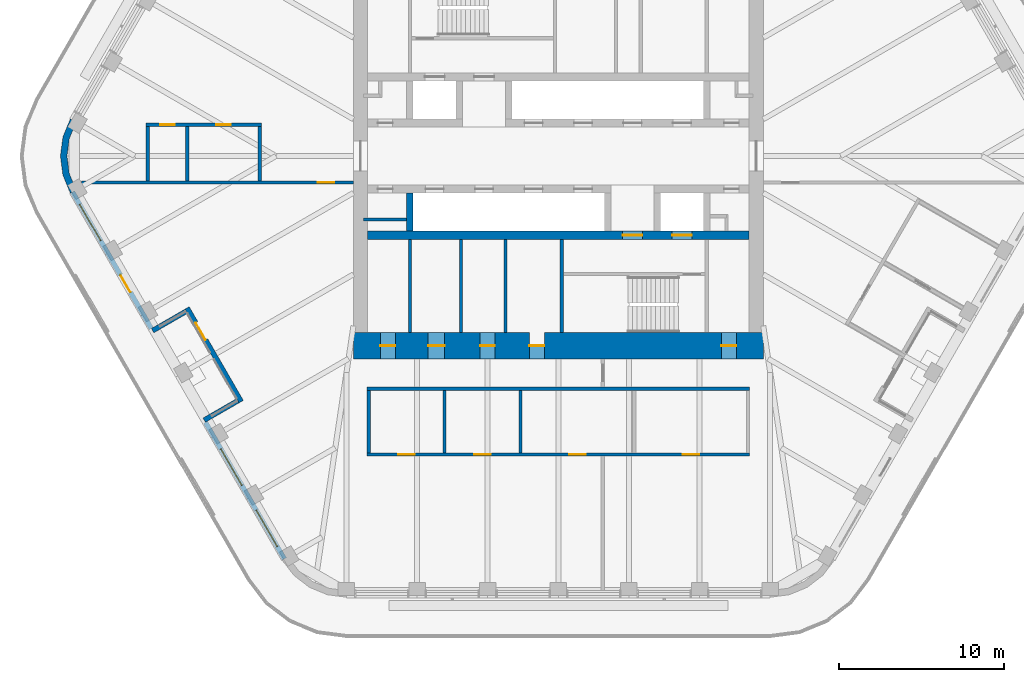
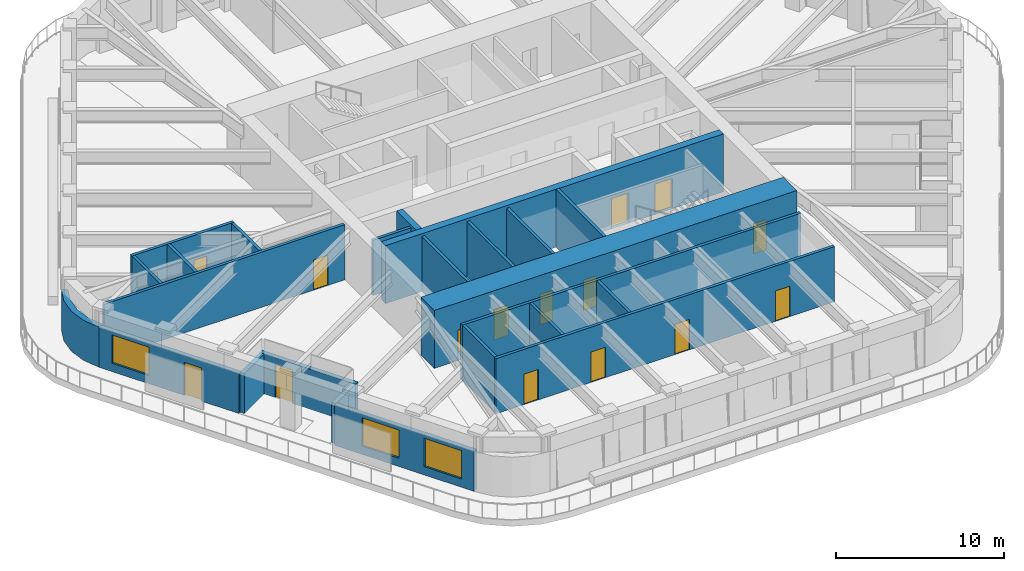
# One storey, part 13 of 19: 24 walls, 16 doors, 3 windows, 19 openings.
"""IFC4 building model written with IfcOpenShell, lengths in metres."""

from ifc_helpers import new_model, si_unit, direction, frame, frame_2d, origin, place, context, subcontext, project, spatial, polyline, rectangle, outline, extrude, material, layer, layer_set, type_object, element, fill, save


model = new_model("IFC4")

# Units and contexts
model_context = context("Model", 3, precision=1e-05, world=origin(), true_north=direction((0.0, 1.0)))
body_context = subcontext(model_context, "Body", "Model", "MODEL_VIEW")
ifc_project = project(units=[si_unit("LENGTHUNIT", "METRE"), si_unit("AREAUNIT", "SQUARE_METRE"), si_unit("VOLUMEUNIT", "CUBIC_METRE"), si_unit("PLANEANGLEUNIT", "RADIAN"), si_unit("MASSUNIT", "GRAM", prefix="KILO")], contexts=[model_context])

# Site, building, storey
site_placement = place(None, origin())
site = spatial("IfcSite", under=ifc_project, at=site_placement, CompositionType="ELEMENT")
building_placement = place(site_placement, origin())
building = spatial("IfcBuilding", under=site, at=building_placement, Name="Tarfa Lantern Tower", CompositionType="ELEMENT")
storey_placement = place(building_placement, frame((0.0, 0.0, 332.5)))
storey = spatial("IfcBuildingStorey", under=building, at=storey_placement, Name="L75", CompositionType="ELEMENT", Elevation=332.5)

# Wall, openings, door, window
ifc_material_1 = material(Name="Limestone cladding on blockwork", Category="masonry")
ifc_layer_1 = layer(ifc_material_1, 0.300048828125)
ifc_layer_set_1 = layer_set([ifc_layer_1], Name="EW1 STONE-CLAD WALL 300")
wall_type_1 = type_object("IfcWallType", Name="EW1 STONE-CLAD WALL 300", PredefinedType="SOLIDWALL", material=ifc_layer_set_1)
wall_1_placement = place(storey_placement, frame((-29.459228515625, -2.175048828125, 0.0), z_axis=(0.0, 0.0, 1.0), x_axis=(0.499996453679, -0.866027451244, 0.0)))
wall_1 = element("IfcWall", 1, at=wall_1_placement, inside=storey, type_object=wall_type_1, Name="Stone wall SW", PredefinedType="SOLIDWALL", context=body_context, shape_type="SweptSolid", body=[
    extrude(rectangle(XDim=9.56396484375, YDim=0.300048828125, at=frame_2d((4.781982421875, 0.0))), origin(), (0.0, 0.0, 1.0), 2.89990234375),
])
opening_1_placement = place(wall_1_placement, frame((0.865966796875, 0.0, 0.60009765625)))
opening_1 = element("IfcOpeningElement", 2, at=opening_1_placement, cuts=wall_1, Name="Opening W17", PredefinedType="OPENING", context=body_context, shape_type="SweptSolid", body=[
    extrude(rectangle(XDim=2.550048828125, YDim=2.050048828125, at=frame_2d((1.27490234375, 1.02490234375))), frame((0.0, 0.159912109375, 0.0), z_axis=(0.0, -1.0, 0.0), x_axis=(1.0, 0.0, 0.0)), (0.0, 0.0, 1.0), 0.320068359375),
])
opening_2_placement = place(wall_1_placement, frame((5.822998046875, 0.0, 0.0)))
opening_2 = element("IfcOpeningElement", 3, at=opening_2_placement, cuts=wall_1, Name="Opening D39", PredefinedType="OPENING", context=body_context, shape_type="SweptSolid", body=[
    extrude(rectangle(XDim=1.199951171875, YDim=2.39990234375, at=frame_2d((0.60009765625, 1.199951171875))), frame((0.0, 0.159912109375, 0.0), z_axis=(0.0, -1.0, 0.0), x_axis=(1.0, 0.0, 0.0)), (0.0, 0.0, 1.0), 0.320068359375),
])
ifc_material_2 = material(Name="Aluminium framed glazed door", Category="aluminium")
door_type_1 = type_object("IfcDoorType", Name="BE3 BALCONY DOOR 1200x2400", OperationType="SINGLE_SWING_RIGHT", PredefinedType="DOOR", material=ifc_material_2)
door_1_placement = place(opening_2_placement, origin())
door_1 = element("IfcDoor", 4, at=door_1_placement, inside=storey, type_object=door_type_1, Name="Balcony door SW", OperationType="SINGLE_SWING_LEFT", OverallHeight=2.39990234375, OverallWidth=1.199951171875, PredefinedType="DOOR", context=body_context, shape_type="SweptSolid", body=[
    extrude(rectangle(XDim=1.199951171875, YDim=2.39990234375, at=frame_2d((0.60009765625, 1.199951171875))), frame((0.0, 0.02490234375, 0.0), z_axis=(0.0, -1.0, 0.0), x_axis=(1.0, 0.0, 0.0)), (0.0, 0.0, 1.0), 0.050048828125),
])
fill(opening_2, door_1)
ifc_material_3 = material(Name="Aluminium frame, double glazed", Category="aluminium")
window_type = type_object("IfcWindowType", Name="W17 FULL-HEIGHT GLAZING 2550x2050", PartitioningType="SINGLE_PANEL", PredefinedType="WINDOW", material=ifc_material_3)
window_1_placement = place(opening_1_placement, origin())
window_1 = element("IfcWindow", 5, at=window_1_placement, inside=storey, type_object=window_type, Name="Window SW 1", OverallHeight=2.050048828125, OverallWidth=2.550048828125, PartitioningType="SINGLE_PANEL", PredefinedType="WINDOW", context=body_context, shape_type="SweptSolid", body=[
    extrude(rectangle(XDim=2.550048828125, YDim=2.050048828125, at=frame_2d((1.27490234375, 1.02490234375))), frame((0.0, 0.030029296875, 0.0), z_axis=(0.0, -1.0, 0.0), x_axis=(1.0, 0.0, 0.0)), (0.0, 0.0, 1.0), 0.06005859375),
])
fill(opening_1, window_1)

# Wall, openings, windows
wall_2_placement = place(storey_placement, frame((-21.395263671875, -16.142333984375, 0.0), z_axis=(0.0, 0.0, 1.0), x_axis=(0.499996453679, -0.866027451244, 0.0)))
wall_2 = element("IfcWall", 6, at=wall_2_placement, inside=storey, type_object=wall_type_1, Name="Stone wall SWB", PredefinedType="SOLIDWALL", context=body_context, shape_type="SweptSolid", body=[
    extrude(rectangle(XDim=9.56396484375, YDim=0.300048828125, at=frame_2d((4.781982421875, 0.0))), origin(), (0.0, 0.0, 1.0), 2.89990234375),
])
opening_3_placement = place(wall_2_placement, frame((1.865966796875, 0.0, 0.60009765625)))
opening_3 = element("IfcOpeningElement", 7, at=opening_3_placement, cuts=wall_2, Name="Opening W17", PredefinedType="OPENING", context=body_context, shape_type="SweptSolid", body=[
    extrude(rectangle(XDim=2.550048828125, YDim=2.050048828125, at=frame_2d((1.27490234375, 1.02490234375))), frame((0.0, 0.159912109375, 0.0), z_axis=(0.0, -1.0, 0.0), x_axis=(1.0, 0.0, 0.0)), (0.0, 0.0, 1.0), 0.320068359375),
])
opening_4_placement = place(wall_2_placement, frame((6.14794921875, 0.0, 0.60009765625)))
opening_4 = element("IfcOpeningElement", 8, at=opening_4_placement, cuts=wall_2, Name="Opening W17", PredefinedType="OPENING", context=body_context, shape_type="SweptSolid", body=[
    extrude(rectangle(XDim=2.550048828125, YDim=2.050048828125, at=frame_2d((1.27490234375, 1.02490234375))), frame((0.0, 0.159912109375, 0.0), z_axis=(0.0, -1.0, 0.0), x_axis=(1.0, 0.0, 0.0)), (0.0, 0.0, 1.0), 0.320068359375),
])
window_2_placement = place(opening_3_placement, origin())
window_2 = element("IfcWindow", 9, at=window_2_placement, inside=storey, type_object=window_type, Name="Window SWB 1", OverallHeight=2.050048828125, OverallWidth=2.550048828125, PartitioningType="SINGLE_PANEL", PredefinedType="WINDOW", context=body_context, shape_type="SweptSolid", body=[
    extrude(rectangle(XDim=2.550048828125, YDim=2.050048828125, at=frame_2d((1.27490234375, 1.02490234375))), frame((0.0, 0.030029296875, 0.0), z_axis=(0.0, -1.0, 0.0), x_axis=(1.0, 0.0, 0.0)), (0.0, 0.0, 1.0), 0.06005859375),
])
fill(opening_3, window_2)
window_3_placement = place(opening_4_placement, origin())
window_3 = element("IfcWindow", 10, at=window_3_placement, inside=storey, type_object=window_type, Name="Window SWB 2", OverallHeight=2.050048828125, OverallWidth=2.550048828125, PartitioningType="SINGLE_PANEL", PredefinedType="WINDOW", context=body_context, shape_type="SweptSolid", body=[
    extrude(rectangle(XDim=2.550048828125, YDim=2.050048828125, at=frame_2d((1.27490234375, 1.02490234375))), frame((0.0, 0.030029296875, 0.0), z_axis=(0.0, -1.0, 0.0), x_axis=(1.0, 0.0, 0.0)), (0.0, 0.0, 1.0), 0.06005859375),
])
fill(opening_4, window_3)

# Walls
for number, where, z_axis, x_axis, name in (
    (11, (-24.602294921875, -10.587646484375, 0.0), (0.0, 0.0, 1.0), (0.866016039709, 0.500016218704, 0.0), "Terrace return SW 1"),
    (12, (-21.47021484375, -16.012451171875, 0.0), (0.0, 0.0, 1.0), (0.866016039709, 0.500016218704, 0.0), "Terrace return SW 2"),
):
    element("IfcWall", number, at=place(storey_placement, frame(where, z_axis=z_axis, x_axis=x_axis)), inside=storey, type_object=wall_type_1, Name=name, PredefinedType="SOLIDWALL", context=body_context, shape_type="SweptSolid", body=[
        extrude(rectangle(XDim=2.35009765625, YDim=0.300048828125, at=frame_2d((1.175048828125, 0.0))), origin(), (0.0, 0.0, 1.0), 2.89990234375),
    ])

# Wall, opening, door
wall_3_placement = place(storey_placement, frame((-22.51220703125, -9.207763671875, 0.0), z_axis=(0.0, 0.0, 1.0), x_axis=(0.499999339774, -0.866025784966, 0.0)))
wall_3 = element("IfcWall", 13, at=wall_3_placement, inside=storey, type_object=wall_type_1, Name="Stone wall SWS", PredefinedType="SOLIDWALL", context=body_context, shape_type="SweptSolid", body=[
    extrude(rectangle(XDim=6.56396484375, YDim=0.300048828125, at=frame_2d((3.281982421875, 0.0))), origin(), (0.0, 0.0, 1.0), 2.89990234375),
])
opening_5_placement = place(wall_3_placement, frame((1.041015625, 0.0, 0.0)))
opening_5 = element("IfcOpeningElement", 14, at=opening_5_placement, cuts=wall_3, Name="Opening D40", PredefinedType="OPENING", context=body_context, shape_type="SweptSolid", body=[
    extrude(rectangle(XDim=1.199951171875, YDim=2.39990234375, at=frame_2d((0.60009765625, 1.199951171875))), frame((0.0, 0.159912109375, 0.0), z_axis=(0.0, -1.0, 0.0), x_axis=(1.0, 0.0, 0.0)), (0.0, 0.0, 1.0), 0.320068359375),
])
door_2_placement = place(opening_5_placement, origin())
door_2 = element("IfcDoor", 15, at=door_2_placement, inside=storey, type_object=door_type_1, Name="Balcony door SWS", OperationType="SINGLE_SWING_RIGHT", OverallHeight=2.39990234375, OverallWidth=1.199951171875, PredefinedType="DOOR", context=body_context, shape_type="SweptSolid", body=[
    extrude(rectangle(XDim=1.199951171875, YDim=2.39990234375, at=frame_2d((0.60009765625, 1.199951171875))), frame((0.0, 0.02490234375, 0.0), z_axis=(0.0, -1.0, 0.0), x_axis=(1.0, 0.0, 0.0)), (0.0, 0.0, 1.0), 0.050048828125),
])
fill(opening_5, door_2)

# Walls
ifc_layer_2 = layer(ifc_material_1, 0.39990234375)
ifc_layer_set_2 = layer_set([ifc_layer_2], Name="EW2 CURVED STONE CORNER 400")
wall_type_2 = type_object("IfcWallType", Name="EW2 CURVED STONE CORNER 400", PredefinedType="SOLIDWALL", material=ifc_layer_set_2)
wall_4_placement = place(storey_placement, origin())
element("IfcWall", 16, at=wall_4_placement, inside=storey, type_object=wall_type_2, Name="Stone corner NW-SW", PredefinedType="SOLIDWALL", context=body_context, shape_type="SweptSolid", body=[
    extrude(outline(polyline([(-29.589111328125, 2.25), (-30.038818359375, 1.164794921875), (-30.192138671875, 0.0), (-30.038818359375, -1.164794921875), (-29.589111328125, -2.25), (-29.24267578125, -2.050048828125), (-29.65234375, -1.061279296875), (-29.7919921875, 0.0), (-29.65234375, 1.061279296875), (-29.24267578125, 2.050048828125), (-29.589111328125, 2.25)])), origin(), (0.0, 0.0, 1.0), 2.89990234375),
])
ifc_material_4 = material(Name="Concrete blockwork", Category="masonry")
ifc_layer_3 = layer(ifc_material_4, 0.199951171875)
ifc_layer_set_3 = layer_set([ifc_layer_3], Name="IW1 BLOCKWORK PARTITION 200 EI 120")
wall_type_3 = type_object("IfcWallType", Name="IW1 BLOCKWORK PARTITION 200 EI 120", PredefinedType="PARTITIONING", material=ifc_layer_set_3)
for number, where, z_axis, x_axis, name in (
    (17, (-9.0, -5.050048828125, 0.0), (0.0, 0.0, 1.0), (0.0, -1.0, 0.0), "Core partition"),
    (18, (-3.199951171875, -5.050048828125, 0.0), (0.0, 0.0, 1.0), (0.0, -1.0, 0.0), "Core partition"),
    (19, (-5.89990234375, -5.050048828125, 0.0), (0.0, 0.0, 1.0), (0.0, -1.0, 0.0), "Core partition"),
):
    element("IfcWall", number, at=place(storey_placement, frame(where, z_axis=z_axis, x_axis=x_axis)), inside=storey, type_object=wall_type_3, Name=name, PredefinedType="PARTITIONING", context=body_context, shape_type="SweptSolid", body=[
        extrude(rectangle(XDim=5.64990234375, YDim=0.199951171875, at=frame_2d((2.824951171875, 0.0))), origin(), (0.0, 0.0, 1.0), 4.0),
    ])
wall_5_placement = place(storey_placement, frame((-9.199951171875, -3.85009765625, 0.0), z_axis=(0.0, 0.0, 1.0), x_axis=(-1.0, 0.0, 0.0)))
element("IfcWall", 20, at=wall_5_placement, inside=storey, type_object=wall_type_3, Name="Core partition", PredefinedType="PARTITIONING", context=body_context, shape_type="SweptSolid", body=[
    extrude(rectangle(XDim=2.60009765625, YDim=0.199951171875, at=frame_2d((1.300048828125, 0.0))), origin(), (0.0, 0.0, 1.0), 4.0),
])
ifc_material_5 = material(Name="Gypsum board on steel studs", Category="steel")
ifc_layer_4 = layer(ifc_material_5, 0.2099609375)
ifc_layer_set_4 = layer_set([ifc_layer_4], Name="IW2 ACOUSTIC PARTITION 200")
wall_type_4 = type_object("IfcWallType", Name="IW2 ACOUSTIC PARTITION 200", PredefinedType="PARTITIONING", material=ifc_layer_set_4)
wall_6_placement = place(storey_placement, frame((11.60009765625, -14.10009765625, 0.0), z_axis=(0.0, 0.0, 1.0), x_axis=(-1.0, 0.0, 0.0)))
element("IfcWall", 21, at=wall_6_placement, inside=storey, type_object=wall_type_4, Name="Partition", PredefinedType="PARTITIONING", context=body_context, shape_type="SweptSolid", body=[
    extrude(rectangle(XDim=23.2001953125, YDim=0.199951171875, at=frame_2d((11.60009765625, 0.0))), origin(), (0.0, 0.0, 1.0), 4.0),
])

# Wall, openings, doors
wall_7_placement = place(storey_placement, frame((11.60009765625, -18.10009765625, 0.0), z_axis=(0.0, 0.0, 1.0), x_axis=(-1.0, 0.0, 0.0)))
wall_7 = element("IfcWall", 22, at=wall_7_placement, inside=storey, type_object=wall_type_4, Name="Partition", PredefinedType="PARTITIONING", context=body_context, shape_type="SweptSolid", body=[
    extrude(rectangle(XDim=23.2001953125, YDim=0.199951171875, at=frame_2d((11.60009765625, 0.0))), origin(), (0.0, 0.0, 1.0), 4.0),
])
opening_6_placement = place(wall_7_placement, frame((3.050048828125, 0.0, 0.0)))
opening_6 = element("IfcOpeningElement", 23, at=opening_6_placement, cuts=wall_7, Name="Opening D26", PredefinedType="OPENING", context=body_context, shape_type="SweptSolid", body=[
    extrude(rectangle(XDim=1.0, YDim=2.199951171875, at=frame_2d((0.5, 1.10009765625))), frame((0.0, 0.10986328125, 0.0), z_axis=(0.0, -1.0, 0.0), x_axis=(1.0, 0.0, 0.0)), (0.0, 0.0, 1.0), 0.219970703125),
])
opening_7_placement = place(wall_7_placement, frame((9.949951171875, 0.0, 0.0)))
opening_7 = element("IfcOpeningElement", 24, at=opening_7_placement, cuts=wall_7, Name="Opening D27", PredefinedType="OPENING", context=body_context, shape_type="SweptSolid", body=[
    extrude(rectangle(XDim=1.0, YDim=2.199951171875, at=frame_2d((0.5, 1.10009765625))), frame((0.0, 0.10986328125, 0.0), z_axis=(0.0, -1.0, 0.0), x_axis=(1.0, 0.0, 0.0)), (0.0, 0.0, 1.0), 0.219970703125),
])
opening_8_placement = place(wall_7_placement, frame((15.699951171875, 0.0, 0.0)))
opening_8 = element("IfcOpeningElement", 25, at=opening_8_placement, cuts=wall_7, Name="Opening D28", PredefinedType="OPENING", context=body_context, shape_type="SweptSolid", body=[
    extrude(rectangle(XDim=1.0, YDim=2.199951171875, at=frame_2d((0.5, 1.10009765625))), frame((0.0, 0.10986328125, 0.0), z_axis=(0.0, -1.0, 0.0), x_axis=(1.0, 0.0, 0.0)), (0.0, 0.0, 1.0), 0.219970703125),
])
opening_9_placement = place(wall_7_placement, frame((20.300048828125, 0.0, 0.0)))
opening_9 = element("IfcOpeningElement", 26, at=opening_9_placement, cuts=wall_7, Name="Opening D29", PredefinedType="OPENING", context=body_context, shape_type="SweptSolid", body=[
    extrude(rectangle(XDim=1.0, YDim=2.199951171875, at=frame_2d((0.5, 1.10009765625))), frame((0.0, 0.10986328125, 0.0), z_axis=(0.0, -1.0, 0.0), x_axis=(1.0, 0.0, 0.0)), (0.0, 0.0, 1.0), 0.219970703125),
])
ifc_material_6 = material(Name="Timber door", Category="wood")
door_type_2 = type_object("IfcDoorType", Name="DR1 ROOM DOOR 1000x2200", OperationType="SINGLE_SWING_LEFT", PredefinedType="DOOR", material=ifc_material_6)
door_3_placement = place(opening_6_placement, frame((1.0, 0.0, 0.0), z_axis=(0.0, 0.0, 1.0), x_axis=(-1.0, 0.0, 0.0)))
door_3 = element("IfcDoor", 27, at=door_3_placement, inside=storey, type_object=door_type_2, Name="Meeting room door", OperationType="SINGLE_SWING_LEFT", OverallHeight=2.199951171875, OverallWidth=1.0, PredefinedType="DOOR", context=body_context, shape_type="SweptSolid", body=[
    extrude(rectangle(XDim=1.0, YDim=2.199951171875, at=frame_2d((0.5, 1.10009765625))), frame((0.0, 0.02490234375, 0.0), z_axis=(0.0, -1.0, 0.0), x_axis=(1.0, 0.0, 0.0)), (0.0, 0.0, 1.0), 0.050048828125),
])
fill(opening_6, door_3)
door_4_placement = place(opening_7_placement, frame((1.0, 0.0, 0.0), z_axis=(0.0, 0.0, 1.0), x_axis=(-1.0, 0.0, 0.0)))
door_4 = element("IfcDoor", 28, at=door_4_placement, inside=storey, type_object=door_type_2, Name="Reading room door", OperationType="SINGLE_SWING_LEFT", OverallHeight=2.199951171875, OverallWidth=1.0, PredefinedType="DOOR", context=body_context, shape_type="SweptSolid", body=[
    extrude(rectangle(XDim=1.0, YDim=2.199951171875, at=frame_2d((0.5, 1.10009765625))), frame((0.0, 0.02490234375, 0.0), z_axis=(0.0, -1.0, 0.0), x_axis=(1.0, 0.0, 0.0)), (0.0, 0.0, 1.0), 0.050048828125),
])
fill(opening_7, door_4)
door_5_placement = place(opening_8_placement, frame((1.0, 0.0, 0.0), z_axis=(0.0, 0.0, 1.0), x_axis=(-1.0, 0.0, 0.0)))
door_5 = element("IfcDoor", 29, at=door_5_placement, inside=storey, type_object=door_type_2, Name="Private lounge door", OperationType="SINGLE_SWING_RIGHT", OverallHeight=2.199951171875, OverallWidth=1.0, PredefinedType="DOOR", context=body_context, shape_type="SweptSolid", body=[
    extrude(rectangle(XDim=1.0, YDim=2.199951171875, at=frame_2d((0.5, 1.10009765625))), frame((0.0, 0.02490234375, 0.0), z_axis=(0.0, -1.0, 0.0), x_axis=(1.0, 0.0, 0.0)), (0.0, 0.0, 1.0), 0.050048828125),
])
fill(opening_8, door_5)
door_6_placement = place(opening_9_placement, frame((1.0, 0.0, 0.0), z_axis=(0.0, 0.0, 1.0), x_axis=(-1.0, 0.0, 0.0)))
door_6 = element("IfcDoor", 30, at=door_6_placement, inside=storey, type_object=door_type_2, Name="Pantry door", OperationType="SINGLE_SWING_RIGHT", OverallHeight=2.199951171875, OverallWidth=1.0, PredefinedType="DOOR", context=body_context, shape_type="SweptSolid", body=[
    extrude(rectangle(XDim=1.0, YDim=2.199951171875, at=frame_2d((0.5, 1.10009765625))), frame((0.0, 0.02490234375, 0.0), z_axis=(0.0, -1.0, 0.0), x_axis=(1.0, 0.0, 0.0)), (0.0, 0.0, 1.0), 0.050048828125),
])
fill(opening_9, door_6)

# Walls
for number, where, z_axis, x_axis, name in (
    (31, (-2.300048828125, -14.199951171875, 0.0), (0.0, 0.0, 1.0), (0.0, -1.0, 0.0), "Partition"),
    (32, (-6.89990234375, -14.199951171875, 0.0), (0.0, 0.0, 1.0), (0.0, -1.0, 0.0), "Partition"),
    (33, (-11.5, -14.199951171875, 0.0), (0.0, 0.0, 1.0), (0.0, -1.0, 0.0), "Partition"),
):
    element("IfcWall", number, at=place(storey_placement, frame(where, z_axis=z_axis, x_axis=x_axis)), inside=storey, type_object=wall_type_4, Name=name, PredefinedType="PARTITIONING", context=body_context, shape_type="SweptSolid", body=[
        extrude(rectangle(XDim=3.800048828125, YDim=0.199951171875, at=frame_2d((1.89990234375, 0.0))), origin(), (0.0, 0.0, 1.0), 4.0),
    ])

# Wall, opening, door
wall_8_placement = place(storey_placement, frame((-12.425048828125, -1.60009765625, 0.0), z_axis=(0.0, 0.0, 1.0), x_axis=(-1.0, 0.0, 0.0)))
wall_8 = element("IfcWall", 34, at=wall_8_placement, inside=storey, type_object=wall_type_4, Name="Partition", PredefinedType="PARTITIONING", context=body_context, shape_type="SweptSolid", body=[
    extrude(rectangle(XDim=16.500244140625, YDim=0.199951171875, at=frame_2d((8.25, 0.0))), origin(), (0.0, 0.0, 1.0), 4.0),
])
opening_10_placement = place(wall_8_placement, frame((1.150146484375, 0.0, 0.0)))
opening_10 = element("IfcOpeningElement", 35, at=opening_10_placement, cuts=wall_8, Name="Opening D34", PredefinedType="OPENING", context=body_context, shape_type="SweptSolid", body=[
    extrude(rectangle(XDim=1.0, YDim=2.199951171875, at=frame_2d((0.5, 1.10009765625))), frame((0.0, 0.10986328125, 0.0), z_axis=(0.0, -1.0, 0.0), x_axis=(1.0, 0.0, 0.0)), (0.0, 0.0, 1.0), 0.219970703125),
])
door_7_placement = place(opening_10_placement, origin())
door_7 = element("IfcDoor", 36, at=door_7_placement, inside=storey, type_object=door_type_2, Name="Zone door", OperationType="SINGLE_SWING_RIGHT", OverallHeight=2.199951171875, OverallWidth=1.0, PredefinedType="DOOR", context=body_context, shape_type="SweptSolid", body=[
    extrude(rectangle(XDim=1.0, YDim=2.199951171875, at=frame_2d((0.5, 1.10009765625))), frame((0.0, 0.02490234375, 0.0), z_axis=(0.0, -1.0, 0.0), x_axis=(1.0, 0.0, 0.0)), (0.0, 0.0, 1.0), 0.050048828125),
])
fill(opening_10, door_7)

# Wall, openings, doors
wall_9_placement = place(storey_placement, frame((-18.000244140625, 1.89990234375, 0.0), z_axis=(0.0, 0.0, 1.0), x_axis=(-1.0, 0.0, 0.0)))
wall_9 = element("IfcWall", 37, at=wall_9_placement, inside=storey, type_object=wall_type_4, Name="Partition", PredefinedType="PARTITIONING", context=body_context, shape_type="SweptSolid", body=[
    extrude(rectangle(XDim=7.0, YDim=0.199951171875, at=frame_2d((3.5, 0.0))), origin(), (0.0, 0.0, 1.0), 4.0),
])
opening_11_placement = place(wall_9_placement, frame((1.85009765625, 0.0, 0.0)))
opening_11 = element("IfcOpeningElement", 38, at=opening_11_placement, cuts=wall_9, Name="Opening D30", PredefinedType="OPENING", context=body_context, shape_type="SweptSolid", body=[
    extrude(rectangle(XDim=0.89990234375, YDim=2.199951171875, at=frame_2d((0.449951171875, 1.10009765625))), frame((0.0, 0.10986328125, 0.0), z_axis=(0.0, -1.0, 0.0), x_axis=(1.0, 0.0, 0.0)), (0.0, 0.0, 1.0), 0.219970703125),
])
opening_12_placement = place(wall_9_placement, frame((5.25, 0.0, 0.0)))
opening_12 = element("IfcOpeningElement", 39, at=opening_12_placement, cuts=wall_9, Name="Opening D31", PredefinedType="OPENING", context=body_context, shape_type="SweptSolid", body=[
    extrude(rectangle(XDim=0.89990234375, YDim=2.199951171875, at=frame_2d((0.449951171875, 1.10009765625))), frame((0.0, 0.10986328125, 0.0), z_axis=(0.0, -1.0, 0.0), x_axis=(1.0, 0.0, 0.0)), (0.0, 0.0, 1.0), 0.219970703125),
])
door_type_3 = type_object("IfcDoorType", Name="DR3 ROOM DOOR 900x2200", OperationType="SINGLE_SWING_LEFT", PredefinedType="DOOR", material=ifc_material_6)
door_8_placement = place(opening_11_placement, origin())
door_8 = element("IfcDoor", 40, at=door_8_placement, inside=storey, type_object=door_type_3, Name="Project room door", OperationType="SINGLE_SWING_RIGHT", OverallHeight=2.199951171875, OverallWidth=0.89990234375, PredefinedType="DOOR", context=body_context, shape_type="SweptSolid", body=[
    extrude(rectangle(XDim=0.89990234375, YDim=2.199951171875, at=frame_2d((0.449951171875, 1.10009765625))), frame((0.0, 0.02490234375, 0.0), z_axis=(0.0, -1.0, 0.0), x_axis=(1.0, 0.0, 0.0)), (0.0, 0.0, 1.0), 0.050048828125),
])
fill(opening_11, door_8)
door_9_placement = place(opening_12_placement, origin())
door_9 = element("IfcDoor", 41, at=door_9_placement, inside=storey, type_object=door_type_3, Name="Print and copy room door", OperationType="SINGLE_SWING_LEFT", OverallHeight=2.199951171875, OverallWidth=0.89990234375, PredefinedType="DOOR", context=body_context, shape_type="SweptSolid", body=[
    extrude(rectangle(XDim=0.89990234375, YDim=2.199951171875, at=frame_2d((0.449951171875, 1.10009765625))), frame((0.0, 0.02490234375, 0.0), z_axis=(0.0, -1.0, 0.0), x_axis=(1.0, 0.0, 0.0)), (0.0, 0.0, 1.0), 0.050048828125),
])
fill(opening_12, door_9)

# Walls
for number, where, z_axis, x_axis, name in (
    (42, (-18.10009765625, -1.5, 0.0), (0.0, 0.0, 1.0), (0.0, 1.0, 0.0), "Partition"),
    (43, (-22.500244140625, -1.5, 0.0), (0.0, 0.0, 1.0), (0.0, 1.0, 0.0), "Partition"),
    (44, (-24.900146484375, -1.5, 0.0), (0.0, 0.0, 1.0), (0.0, 1.0, 0.0), "Partition"),
):
    element("IfcWall", number, at=place(storey_placement, frame(where, z_axis=z_axis, x_axis=x_axis)), inside=storey, type_object=wall_type_4, Name=name, PredefinedType="PARTITIONING", context=body_context, shape_type="SweptSolid", body=[
        extrude(rectangle(XDim=3.300048828125, YDim=0.199951171875, at=frame_2d((1.64990234375, 0.0))), origin(), (0.0, 0.0, 1.0), 4.0),
    ])
ifc_material_7 = material(Name="Concrete C80/95", Category="concrete")
ifc_layer_5 = layer(ifc_material_7, 0.199951171875)
ifc_layer_set_5 = layer_set([ifc_layer_5], Name="SW12 CORE WALL 200")
wall_type_5 = type_object("IfcWallType", Name="SW12 CORE WALL 200", PredefinedType="SHEAR", material=ifc_layer_set_5)
wall_10_placement = place(storey_placement, frame((0.199951171875, -5.050048828125, 0.0), z_axis=(0.0, 0.0, 1.0), x_axis=(0.0, -1.0, 0.0)))
element("IfcWall", 45, at=wall_10_placement, inside=storey, type_object=wall_type_5, Name="Core wall stair shaft S", PredefinedType="SHEAR", context=body_context, shape_type="SweptSolid", body=[
    extrude(rectangle(XDim=5.64990234375, YDim=0.199951171875, at=frame_2d((2.824951171875, 0.0))), origin(), (0.0, 0.0, 1.0), 4.199951171875),
])

# Wall, openings, doors
ifc_layer_6 = layer(ifc_material_7, 0.5)
ifc_layer_set_6 = layer_set([ifc_layer_6], Name="SW5 CORE WALL 500")
wall_type_6 = type_object("IfcWallType", Name="SW5 CORE WALL 500", PredefinedType="SHEAR", material=ifc_layer_set_6)
wall_11_placement = place(storey_placement, frame((11.574951171875, -4.800048828125, 0.0), z_axis=(0.0, 0.0, 1.0), x_axis=(-1.0, 0.0, 0.0)))
wall_11 = element("IfcWall", 46, at=wall_11_placement, inside=storey, type_object=wall_type_6, Name="Core wall rear S", PredefinedType="SHEAR", context=body_context, shape_type="SweptSolid", body=[
    extrude(rectangle(XDim=23.14990234375, YDim=0.5, at=frame_2d((11.574951171875, 0.0))), origin(), (0.0, 0.0, 1.0), 4.199951171875),
])
opening_13_placement = place(wall_11_placement, frame((6.47509765625, 0.0, 0.0)))
opening_13 = element("IfcOpeningElement", 47, at=opening_13_placement, cuts=wall_11, Name="Opening D06", PredefinedType="OPENING", context=body_context, shape_type="SweptSolid", body=[
    extrude(rectangle(XDim=1.199951171875, YDim=2.199951171875, at=frame_2d((0.60009765625, 1.10009765625))), frame((0.0, 0.260009765625, 0.0), z_axis=(0.0, -1.0, 0.0), x_axis=(1.0, 0.0, 0.0)), (0.0, 0.0, 1.0), 0.52001953125),
])
opening_14_placement = place(wall_11_placement, frame((3.47509765625, 0.0, 0.0)))
opening_14 = element("IfcOpeningElement", 48, at=opening_14_placement, cuts=wall_11, Name="Opening LD02", PredefinedType="OPENING", context=body_context, shape_type="SweptSolid", body=[
    extrude(rectangle(XDim=1.199951171875, YDim=2.199951171875, at=frame_2d((0.60009765625, 1.10009765625))), frame((0.0, 0.260009765625, 0.0), z_axis=(0.0, -1.0, 0.0), x_axis=(1.0, 0.0, 0.0)), (0.0, 0.0, 1.0), 0.52001953125),
])
ifc_material_8 = material(Name="Steel fire door", Category="steel")
door_type_4 = type_object("IfcDoorType", Name="DF1 FIREFIGHTING LOBBY DOOR 1200x2200", OperationType="SINGLE_SWING_LEFT", PredefinedType="DOOR", material=ifc_material_8)
door_10_placement = place(opening_13_placement, origin())
door_10 = element("IfcDoor", 49, at=door_10_placement, inside=storey, type_object=door_type_4, Name="Firefighting lobby door", OperationType="SINGLE_SWING_LEFT", OverallHeight=2.199951171875, OverallWidth=1.199951171875, PredefinedType="DOOR", context=body_context, shape_type="SweptSolid", body=[
    extrude(rectangle(XDim=1.199951171875, YDim=2.199951171875, at=frame_2d((0.60009765625, 1.10009765625))), frame((0.0, 0.02490234375, 0.0), z_axis=(0.0, -1.0, 0.0), x_axis=(1.0, 0.0, 0.0)), (0.0, 0.0, 1.0), 0.050048828125),
])
fill(opening_13, door_10)
ifc_material_9 = material(Name="Stainless steel lift door", Category="steel")
door_type_5 = type_object("IfcDoorType", Name="LD1 LIFT LANDING DOOR 1200x2200", OperationType="SLIDING_TO_LEFT", PredefinedType="DOOR", material=ifc_material_9)
door_11_placement = place(opening_14_placement, origin())
door_11 = element("IfcDoor", 50, at=door_11_placement, inside=storey, type_object=door_type_5, Name="Landing door FL2", OperationType="SLIDING_TO_LEFT", OverallHeight=2.199951171875, OverallWidth=1.199951171875, PredefinedType="DOOR", context=body_context, shape_type="SweptSolid", body=[
    extrude(rectangle(XDim=1.199951171875, YDim=2.199951171875, at=frame_2d((0.60009765625, 1.10009765625))), frame((0.0, 0.02490234375, 0.0), z_axis=(0.0, -1.0, 0.0), x_axis=(1.0, 0.0, 0.0)), (0.0, 0.0, 1.0), 0.050048828125),
])
fill(opening_14, door_11)

# Wall
ifc_layer_7 = layer(ifc_material_7, 0.39990234375)
ifc_layer_set_7 = layer_set([ifc_layer_7], Name="SW6 CORE WALL 400")
wall_type_7 = type_object("IfcWallType", Name="SW6 CORE WALL 400", PredefinedType="SHEAR", material=ifc_layer_set_7)
wall_12_placement = place(storey_placement, frame((-9.0, -2.25, 0.0), z_axis=(0.0, 0.0, 1.0), x_axis=(0.0, -1.0, 0.0)))
element("IfcWall", 51, at=wall_12_placement, inside=storey, type_object=wall_type_7, Name="Core wall divider S", PredefinedType="SHEAR", context=body_context, shape_type="SweptSolid", body=[
    extrude(rectangle(XDim=2.300048828125, YDim=0.39990234375, at=frame_2d((1.14990234375, 0.0))), origin(), (0.0, 0.0, 1.0), 4.199951171875),
])

# Wall, openings, doors
ifc_layer_8 = layer(ifc_material_7, 1.60009765625)
ifc_layer_set_8 = layer_set([ifc_layer_8], Name="SW7 CORE WALL 1600")
wall_type_8 = type_object("IfcWallType", Name="SW7 CORE WALL 1600", PredefinedType="SHEAR", material=ifc_layer_set_8)
wall_13_placement = place(storey_placement, frame((12.425048828125, -11.5, 0.0), z_axis=(0.0, 0.0, 1.0), x_axis=(-1.0, 0.0, 0.0)))
wall_13 = element("IfcWall", 52, at=wall_13_placement, inside=storey, type_object=wall_type_8, Name="Core wall S", PredefinedType="SHEAR", context=body_context, shape_type="SweptSolid", body=[
    extrude(rectangle(XDim=24.85009765625, YDim=1.60009765625, at=frame_2d((12.425048828125, 0.0))), origin(), (0.0, 0.0, 1.0), 4.199951171875),
])
opening_15_placement = place(wall_13_placement, frame((13.27490234375, 0.0, 0.0)))
opening_15 = element("IfcOpeningElement", 53, at=opening_15_placement, cuts=wall_13, Name="Opening D14", PredefinedType="OPENING", context=body_context, shape_type="SweptSolid", body=[
    extrude(rectangle(XDim=0.89990234375, YDim=2.199951171875, at=frame_2d((0.449951171875, 1.10009765625))), frame((0.0, 0.81005859375, 0.0), z_axis=(0.0, -1.0, 0.0), x_axis=(1.0, 0.0, 0.0)), (0.0, 0.0, 1.0), 1.6201171875),
])
opening_16_placement = place(wall_13_placement, frame((16.27490234375, 0.0, 0.0)))
opening_16 = element("IfcOpeningElement", 54, at=opening_16_placement, cuts=wall_13, Name="Opening D16", PredefinedType="OPENING", context=body_context, shape_type="SweptSolid", body=[
    extrude(rectangle(XDim=0.89990234375, YDim=2.199951171875, at=frame_2d((0.449951171875, 1.10009765625))), frame((0.0, 0.81005859375, 0.0), z_axis=(0.0, -1.0, 0.0), x_axis=(1.0, 0.0, 0.0)), (0.0, 0.0, 1.0), 1.6201171875),
])
opening_17_placement = place(wall_13_placement, frame((19.324951171875, 0.0, 0.0)))
opening_17 = element("IfcOpeningElement", 55, at=opening_17_placement, cuts=wall_13, Name="Opening D18", PredefinedType="OPENING", context=body_context, shape_type="SweptSolid", body=[
    extrude(rectangle(XDim=1.0, YDim=2.199951171875, at=frame_2d((0.5, 1.10009765625))), frame((0.0, 0.81005859375, 0.0), z_axis=(0.0, -1.0, 0.0), x_axis=(1.0, 0.0, 0.0)), (0.0, 0.0, 1.0), 1.6201171875),
])
opening_18_placement = place(wall_13_placement, frame((1.637451171875, 0.0, 0.0)))
opening_18 = element("IfcOpeningElement", 56, at=opening_18_placement, cuts=wall_13, Name="Opening D04", PredefinedType="OPENING", context=body_context, shape_type="SweptSolid", body=[
    extrude(rectangle(XDim=0.89990234375, YDim=2.199951171875, at=frame_2d((0.449951171875, 1.10009765625))), frame((0.0, 0.81005859375, 0.0), z_axis=(0.0, -1.0, 0.0), x_axis=(1.0, 0.0, 0.0)), (0.0, 0.0, 1.0), 1.6201171875),
])
opening_19_placement = place(wall_13_placement, frame((22.3125, 0.0, 0.0)))
opening_19 = element("IfcOpeningElement", 57, at=opening_19_placement, cuts=wall_13, Name="Opening D02", PredefinedType="OPENING", context=body_context, shape_type="SweptSolid", body=[
    extrude(rectangle(XDim=0.89990234375, YDim=2.199951171875, at=frame_2d((0.449951171875, 1.10009765625))), frame((0.0, 0.81005859375, 0.0), z_axis=(0.0, -1.0, 0.0), x_axis=(1.0, 0.0, 0.0)), (0.0, 0.0, 1.0), 1.6201171875),
])
door_type_6 = type_object("IfcDoorType", Name="DF3 CORE ROOM DOOR 900x2200", OperationType="SINGLE_SWING_LEFT", PredefinedType="DOOR", material=ifc_material_8)
door_12_placement = place(opening_15_placement, frame((0.89990234375, 0.0, 0.0), z_axis=(0.0, 0.0, 1.0), x_axis=(-1.0, 0.0, 0.0)))
door_12 = element("IfcDoor", 58, at=door_12_placement, inside=storey, type_object=door_type_6, Name="Core door", OperationType="SINGLE_SWING_LEFT", OverallHeight=2.199951171875, OverallWidth=0.89990234375, PredefinedType="DOOR", context=body_context, shape_type="SweptSolid", body=[
    extrude(rectangle(XDim=0.89990234375, YDim=2.199951171875, at=frame_2d((0.449951171875, 1.10009765625))), frame((0.0, 0.02490234375, 0.0), z_axis=(0.0, -1.0, 0.0), x_axis=(1.0, 0.0, 0.0)), (0.0, 0.0, 1.0), 0.050048828125),
])
fill(opening_15, door_12)
door_13_placement = place(opening_16_placement, frame((0.89990234375, 0.0, 0.0), z_axis=(0.0, 0.0, 1.0), x_axis=(-1.0, 0.0, 0.0)))
door_13 = element("IfcDoor", 59, at=door_13_placement, inside=storey, type_object=door_type_6, Name="Core door", OperationType="SINGLE_SWING_LEFT", OverallHeight=2.199951171875, OverallWidth=0.89990234375, PredefinedType="DOOR", context=body_context, shape_type="SweptSolid", body=[
    extrude(rectangle(XDim=0.89990234375, YDim=2.199951171875, at=frame_2d((0.449951171875, 1.10009765625))), frame((0.0, 0.02490234375, 0.0), z_axis=(0.0, -1.0, 0.0), x_axis=(1.0, 0.0, 0.0)), (0.0, 0.0, 1.0), 0.050048828125),
])
fill(opening_16, door_13)
door_type_7 = type_object("IfcDoorType", Name="DF4 CORE ROOM DOOR 1000x2200", OperationType="SINGLE_SWING_LEFT", PredefinedType="DOOR", material=ifc_material_8)
door_14_placement = place(opening_17_placement, frame((1.0, 0.0, 0.0), z_axis=(0.0, 0.0, 1.0), x_axis=(-1.0, 0.0, 0.0)))
door_14 = element("IfcDoor", 60, at=door_14_placement, inside=storey, type_object=door_type_7, Name="Core door", OperationType="SINGLE_SWING_LEFT", OverallHeight=2.199951171875, OverallWidth=1.0, PredefinedType="DOOR", context=body_context, shape_type="SweptSolid", body=[
    extrude(rectangle(XDim=1.0, YDim=2.199951171875, at=frame_2d((0.5, 1.10009765625))), frame((0.0, 0.02490234375, 0.0), z_axis=(0.0, -1.0, 0.0), x_axis=(1.0, 0.0, 0.0)), (0.0, 0.0, 1.0), 0.050048828125),
])
fill(opening_17, door_14)
door_type_8 = type_object("IfcDoorType", Name="DF5 RISER DOOR 900x2200", OperationType="SINGLE_SWING_LEFT", PredefinedType="DOOR", material=ifc_material_8)
door_15_placement = place(opening_18_placement, frame((0.89990234375, 0.0, 0.0), z_axis=(0.0, 0.0, 1.0), x_axis=(-1.0, 0.0, 0.0)))
door_15 = element("IfcDoor", 61, at=door_15_placement, inside=storey, type_object=door_type_8, Name="Riser door", OperationType="SINGLE_SWING_LEFT", OverallHeight=2.199951171875, OverallWidth=0.89990234375, PredefinedType="DOOR", context=body_context, shape_type="SweptSolid", body=[
    extrude(rectangle(XDim=0.89990234375, YDim=2.199951171875, at=frame_2d((0.449951171875, 1.10009765625))), frame((0.0, 0.02490234375, 0.0), z_axis=(0.0, -1.0, 0.0), x_axis=(1.0, 0.0, 0.0)), (0.0, 0.0, 1.0), 0.050048828125),
])
fill(opening_18, door_15)
door_16_placement = place(opening_19_placement, frame((0.89990234375, 0.0, 0.0), z_axis=(0.0, 0.0, 1.0), x_axis=(-1.0, 0.0, 0.0)))
door_16 = element("IfcDoor", 62, at=door_16_placement, inside=storey, type_object=door_type_8, Name="Riser door", OperationType="SINGLE_SWING_RIGHT", OverallHeight=2.199951171875, OverallWidth=0.89990234375, PredefinedType="DOOR", context=body_context, shape_type="SweptSolid", body=[
    extrude(rectangle(XDim=0.89990234375, YDim=2.199951171875, at=frame_2d((0.449951171875, 1.10009765625))), frame((0.0, 0.02490234375, 0.0), z_axis=(0.0, -1.0, 0.0), x_axis=(1.0, 0.0, 0.0)), (0.0, 0.0, 1.0), 0.050048828125),
])
fill(opening_19, door_16)

save(model, "model.ifc")
